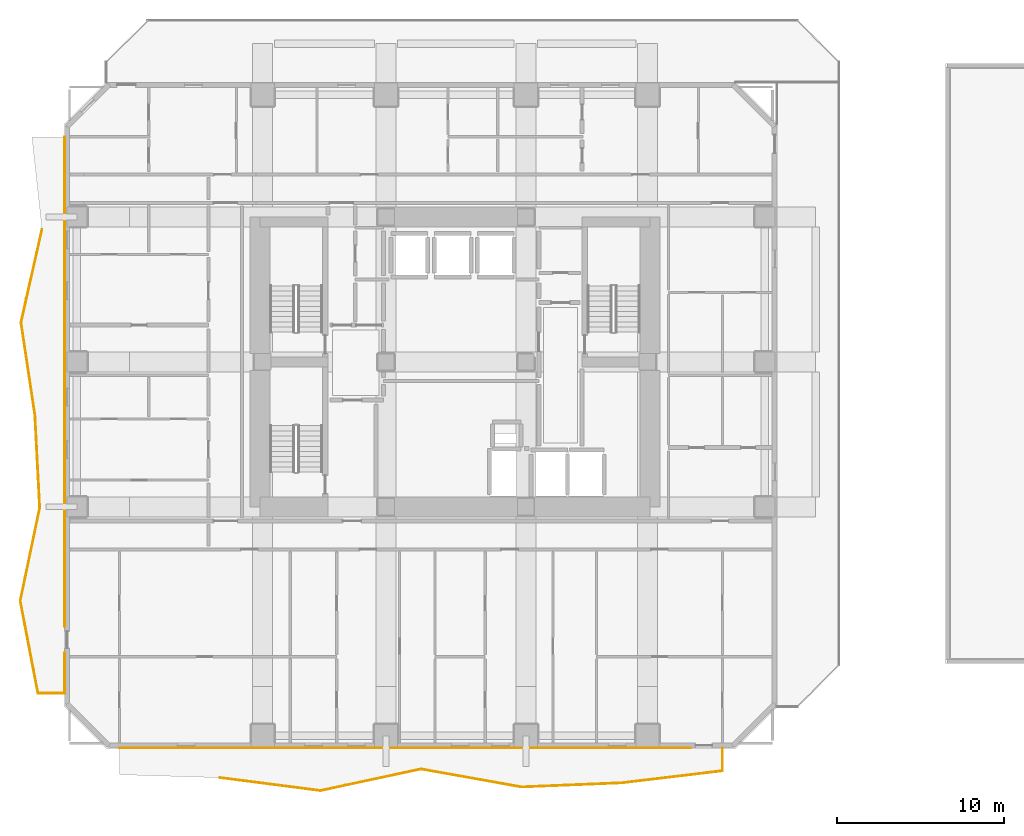
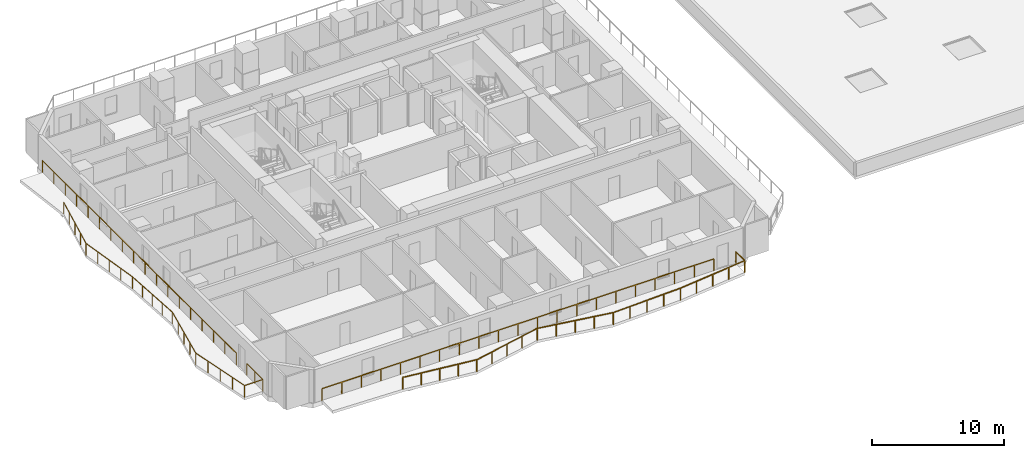
# One storey, part 10 of 13: 4 railings.
"""IFC4 building model written with IfcOpenShell, lengths in metres."""

from ifc_helpers import new_model, si_unit, direction, frame, origin, origin_2d, place, context, subcontext, project, spatial, rectangle, extrude, material, type_object, element, save


model = new_model("IFC4")

# Units and contexts
model_context = context("Model", 3, precision=1e-05, world=origin(), true_north=direction((0.0, 1.0)))
body_context = subcontext(model_context, "Body", "Model", "MODEL_VIEW")
ifc_project = project(units=[si_unit("LENGTHUNIT", "METRE"), si_unit("AREAUNIT", "SQUARE_METRE"), si_unit("VOLUMEUNIT", "CUBIC_METRE"), si_unit("PLANEANGLEUNIT", "RADIAN"), si_unit("MASSUNIT", "GRAM", prefix="KILO")], contexts=[model_context])

# Site, building, storey
site_placement = place(None, origin())
site = spatial("IfcSite", under=ifc_project, at=site_placement, CompositionType="ELEMENT")
building_placement = place(site_placement, origin())
building = spatial("IfcBuilding", under=site, at=building_placement, Name="Solanera Arch Residences", CompositionType="ELEMENT")
storey_placement = place(building_placement, frame((0.0, 0.0, 22.0)))
storey = spatial("IfcBuildingStorey", under=building, at=storey_placement, Name="L05", CompositionType="ELEMENT", Elevation=22.0)

# Railings
ifc_material = material(Name="Steel S355 (ASTM A992 / A572 Grade 50)", Category="steel")
railing_type = type_object("IfcRailingType", Name="Balustrade Railing BL-1100", PredefinedType="BALUSTRADE", material=ifc_material)
railing_1_placement = place(storey_placement, frame((10.8330078125, 5.735107421875, 0.0)))
element("IfcRailing", 1, at=railing_1_placement, inside=storey, type_object=railing_type, Name="L05 S Balcony Balustrade 1", PredefinedType="BALUSTRADE", context=body_context, shape_type="SweptSolid", body=[
    extrude(rectangle(XDim=0.048095703125, YDim=0.048095703125, at=origin_2d()), frame((0.0, 0.0, 1.09619140625), z_axis=(0.991747445378, -0.128206881974, 0.0), x_axis=(0.128206881974, 0.991747445378, 0.0)), (0.0, 0.0, 1.0), 6.084228515625),
    extrude(rectangle(XDim=0.048095703125, YDim=0.048095703125, at=origin_2d()), frame((6.033935546875, -0.780029296875, 1.09619140625), z_axis=(0.977666146337, 0.210163998597, 0.0), x_axis=(-0.210163998597, 0.977666146337, 0.0)), (0.0, 0.0, 1.0), 6.170654296875),
    extrude(rectangle(XDim=0.048095703125, YDim=0.048095703125, at=origin_2d()), frame((12.06689453125, 0.516845703125, 1.09619140625), z_axis=(0.984385201462, -0.176027768099, 0.0), x_axis=(0.176027768099, 0.984385201462, 0.0)), (0.0, 0.0, 1.0), 6.12890625),
    extrude(rectangle(XDim=0.048095703125, YDim=0.048095703125, at=origin_2d()), frame((18.10009765625, -0.56201171875, 1.09619140625), z_axis=(0.999157767639, 0.041033588272, 0.0), x_axis=(-0.041033588272, 0.999157767639, 0.0)), (0.0, 0.0, 1.0), 6.0390625),
    extrude(rectangle(XDim=0.048095703125, YDim=0.048095703125, at=origin_2d()), frame((24.134033203125, -0.314208984375, 1.09619140625), z_axis=(0.992873606023, 0.119172154727, 0.0), x_axis=(-0.119172154727, 0.992873606023, 0.0)), (0.0, 0.0, 1.0), 6.076171875),
    extrude(rectangle(XDim=0.048095703125, YDim=0.048095703125, at=origin_2d()), frame((30.1669921875, 0.409912109375, 1.09619140625), z_axis=(0.0, 1.0, 0.0), x_axis=(-1.0, 0.0, 0.0)), (0.0, 0.0, 1.0), 1.375),
    extrude(rectangle(XDim=0.0419921875, YDim=0.0419921875, at=origin_2d()), origin(), (0.0, 0.0, 1.0), 1.072021484375),
    extrude(rectangle(XDim=0.0419921875, YDim=0.0419921875, at=origin_2d()), frame((1.508544921875, -0.195068359375, 0.0)), (0.0, 0.0, 1.0), 1.072021484375),
    extrude(rectangle(XDim=0.0419921875, YDim=0.0419921875, at=origin_2d()), frame((3.01708984375, -0.39013671875, 0.0)), (0.0, 0.0, 1.0), 1.072021484375),
    extrude(rectangle(XDim=0.0419921875, YDim=0.0419921875, at=origin_2d()), frame((4.525390625, -0.5849609375, 0.0)), (0.0, 0.0, 1.0), 1.072021484375),
    extrude(rectangle(XDim=0.0419921875, YDim=0.0419921875, at=origin_2d()), frame((6.033935546875, -0.780029296875, 0.0)), (0.0, 0.0, 1.0), 1.072021484375),
    extrude(rectangle(XDim=0.0419921875, YDim=0.0419921875, at=origin_2d()), frame((7.542236328125, -0.455810546875, 0.0)), (0.0, 0.0, 1.0), 1.072021484375),
    extrude(rectangle(XDim=0.0419921875, YDim=0.0419921875, at=origin_2d()), frame((9.05029296875, -0.131591796875, 0.0)), (0.0, 0.0, 1.0), 1.072021484375),
    extrude(rectangle(XDim=0.0419921875, YDim=0.0419921875, at=origin_2d()), frame((10.55859375, 0.192626953125, 0.0)), (0.0, 0.0, 1.0), 1.072021484375),
    extrude(rectangle(XDim=0.0419921875, YDim=0.0419921875, at=origin_2d()), frame((12.06689453125, 0.516845703125, 0.0)), (0.0, 0.0, 1.0), 1.072021484375),
    extrude(rectangle(XDim=0.0419921875, YDim=0.0419921875, at=origin_2d()), frame((13.5751953125, 0.2470703125, 0.0)), (0.0, 0.0, 1.0), 1.072021484375),
    extrude(rectangle(XDim=0.0419921875, YDim=0.0419921875, at=origin_2d()), frame((15.08349609375, -0.0224609375, 0.0)), (0.0, 0.0, 1.0), 1.072021484375),
    extrude(rectangle(XDim=0.0419921875, YDim=0.0419921875, at=origin_2d()), frame((16.591796875, -0.292236328125, 0.0)), (0.0, 0.0, 1.0), 1.072021484375),
    extrude(rectangle(XDim=0.0419921875, YDim=0.0419921875, at=origin_2d()), frame((18.10009765625, -0.56201171875, 0.0)), (0.0, 0.0, 1.0), 1.072021484375),
    extrude(rectangle(XDim=0.0419921875, YDim=0.0419921875, at=origin_2d()), frame((19.608642578125, -0.5, 0.0)), (0.0, 0.0, 1.0), 1.072021484375),
    extrude(rectangle(XDim=0.0419921875, YDim=0.0419921875, at=origin_2d()), frame((21.1171875, -0.43798828125, 0.0)), (0.0, 0.0, 1.0), 1.072021484375),
    extrude(rectangle(XDim=0.0419921875, YDim=0.0419921875, at=origin_2d()), frame((22.62548828125, -0.376220703125, 0.0)), (0.0, 0.0, 1.0), 1.072021484375),
    extrude(rectangle(XDim=0.0419921875, YDim=0.0419921875, at=origin_2d()), frame((24.134033203125, -0.314208984375, 0.0)), (0.0, 0.0, 1.0), 1.072021484375),
    extrude(rectangle(XDim=0.0419921875, YDim=0.0419921875, at=origin_2d()), frame((25.642333984375, -0.13330078125, 0.0)), (0.0, 0.0, 1.0), 1.072021484375),
    extrude(rectangle(XDim=0.0419921875, YDim=0.0419921875, at=origin_2d()), frame((27.150390625, 0.0478515625, 0.0)), (0.0, 0.0, 1.0), 1.072021484375),
    extrude(rectangle(XDim=0.0419921875, YDim=0.0419921875, at=origin_2d()), frame((28.65869140625, 0.22900390625, 0.0)), (0.0, 0.0, 1.0), 1.072021484375),
    extrude(rectangle(XDim=0.0419921875, YDim=0.0419921875, at=origin_2d()), frame((30.1669921875, 0.409912109375, 0.0)), (0.0, 0.0, 1.0), 1.072021484375),
    extrude(rectangle(XDim=0.0419921875, YDim=0.0419921875, at=origin_2d()), frame((30.1669921875, 1.784912109375, 0.0)), (0.0, 0.0, 1.0), 1.072021484375),
])
railing_2_placement = place(storey_placement, frame((39.083984375, 7.52001953125, 0.0)))
element("IfcRailing", 2, at=railing_2_placement, inside=storey, type_object=railing_type, Name="L05 S Balcony Balustrade 2", PredefinedType="BALUSTRADE", context=body_context, shape_type="SweptSolid", body=[
    extrude(rectangle(XDim=0.048095703125, YDim=0.048095703125, at=origin_2d()), frame((0.0, 0.0, 1.09619140625), z_axis=(-1.0, 0.0, 0.0), x_axis=(0.0, -1.0, 0.0)), (0.0, 0.0, 1.0), 34.283935546875),
    extrude(rectangle(XDim=0.0419921875, YDim=0.0419921875, at=origin_2d()), origin(), (0.0, 0.0, 1.0), 1.072021484375),
    extrude(rectangle(XDim=0.0419921875, YDim=0.0419921875, at=origin_2d()), frame((-1.714111328125, 0.0, 0.0)), (0.0, 0.0, 1.0), 1.072021484375),
    extrude(rectangle(XDim=0.0419921875, YDim=0.0419921875, at=origin_2d()), frame((-3.428466796875, 0.0, 0.0)), (0.0, 0.0, 1.0), 1.072021484375),
    extrude(rectangle(XDim=0.0419921875, YDim=0.0419921875, at=origin_2d()), frame((-5.142578125, 0.0, 0.0)), (0.0, 0.0, 1.0), 1.072021484375),
    extrude(rectangle(XDim=0.0419921875, YDim=0.0419921875, at=origin_2d()), frame((-6.856689453125, 0.0, 0.0)), (0.0, 0.0, 1.0), 1.072021484375),
    extrude(rectangle(XDim=0.0419921875, YDim=0.0419921875, at=origin_2d()), frame((-8.571044921875, 0.0, 0.0)), (0.0, 0.0, 1.0), 1.072021484375),
    extrude(rectangle(XDim=0.0419921875, YDim=0.0419921875, at=origin_2d()), frame((-10.28515625, 0.0, 0.0)), (0.0, 0.0, 1.0), 1.072021484375),
    extrude(rectangle(XDim=0.0419921875, YDim=0.0419921875, at=origin_2d()), frame((-11.999267578125, 0.0, 0.0)), (0.0, 0.0, 1.0), 1.072021484375),
    extrude(rectangle(XDim=0.0419921875, YDim=0.0419921875, at=origin_2d()), frame((-13.713623046875, 0.0, 0.0)), (0.0, 0.0, 1.0), 1.072021484375),
    extrude(rectangle(XDim=0.0419921875, YDim=0.0419921875, at=origin_2d()), frame((-15.427734375, 0.0, 0.0)), (0.0, 0.0, 1.0), 1.072021484375),
    extrude(rectangle(XDim=0.0419921875, YDim=0.0419921875, at=origin_2d()), frame((-17.14208984375, 0.0, 0.0)), (0.0, 0.0, 1.0), 1.072021484375),
    extrude(rectangle(XDim=0.0419921875, YDim=0.0419921875, at=origin_2d()), frame((-18.856201171875, 0.0, 0.0)), (0.0, 0.0, 1.0), 1.072021484375),
    extrude(rectangle(XDim=0.0419921875, YDim=0.0419921875, at=origin_2d()), frame((-20.5703125, 0.0, 0.0)), (0.0, 0.0, 1.0), 1.072021484375),
    extrude(rectangle(XDim=0.0419921875, YDim=0.0419921875, at=origin_2d()), frame((-22.28466796875, 0.0, 0.0)), (0.0, 0.0, 1.0), 1.072021484375),
    extrude(rectangle(XDim=0.0419921875, YDim=0.0419921875, at=origin_2d()), frame((-23.998779296875, 0.0, 0.0)), (0.0, 0.0, 1.0), 1.072021484375),
    extrude(rectangle(XDim=0.0419921875, YDim=0.0419921875, at=origin_2d()), frame((-25.712890625, 0.0, 0.0)), (0.0, 0.0, 1.0), 1.072021484375),
    extrude(rectangle(XDim=0.0419921875, YDim=0.0419921875, at=origin_2d()), frame((-27.42724609375, 0.0, 0.0)), (0.0, 0.0, 1.0), 1.072021484375),
    extrude(rectangle(XDim=0.0419921875, YDim=0.0419921875, at=origin_2d()), frame((-29.141357421875, 0.0, 0.0)), (0.0, 0.0, 1.0), 1.072021484375),
    extrude(rectangle(XDim=0.0419921875, YDim=0.0419921875, at=origin_2d()), frame((-30.85546875, 0.0, 0.0)), (0.0, 0.0, 1.0), 1.072021484375),
    extrude(rectangle(XDim=0.0419921875, YDim=0.0419921875, at=origin_2d()), frame((-32.56982421875, 0.0, 0.0)), (0.0, 0.0, 1.0), 1.072021484375),
    extrude(rectangle(XDim=0.0419921875, YDim=0.0419921875, at=origin_2d()), frame((-34.283935546875, 0.0, 0.0)), (0.0, 0.0, 1.0), 1.072021484375),
])
railing_3_placement = place(storey_placement, frame((0.14990234375, 38.633056640625, 0.0)))
element("IfcRailing", 3, at=railing_3_placement, inside=storey, type_object=railing_type, Name="L05 W Balcony Balustrade 1", PredefinedType="BALUSTRADE", context=body_context, shape_type="SweptSolid", body=[
    extrude(rectangle(XDim=0.048095703125, YDim=0.048095703125, at=origin_2d()), frame((0.0, 0.0, 1.09619140625), z_axis=(-0.219602816154, -0.975589361943, 0.0), x_axis=(0.975589361943, -0.219602816154, 0.0)), (0.0, 0.0, 1.0), 5.705322265625),
    extrude(rectangle(XDim=0.048095703125, YDim=0.048095703125, at=origin_2d()), frame((-1.2529296875, -5.566162109375, 1.09619140625), z_axis=(0.14887907298, -0.98885540987, 0.0), x_axis=(0.98885540987, 0.14887907298, 0.0)), (0.0, 0.0, 1.0), 5.629638671875),
    extrude(rectangle(XDim=0.048095703125, YDim=0.048095703125, at=origin_2d()), frame((-0.414794921875, -11.133056640625, 1.09619140625), z_axis=(0.051287557178, -0.998683927216, 0.0), x_axis=(0.998683927216, 0.051287557178, 0.0)), (0.0, 0.0, 1.0), 5.57421875),
    extrude(rectangle(XDim=0.048095703125, YDim=0.048095703125, at=origin_2d()), frame((-0.12890625, -16.699951171875, 1.09619140625), z_axis=(-0.205361411113, -0.978686206516, 0.0), x_axis=(0.978686206516, -0.205361411113, 0.0)), (0.0, 0.0, 1.0), 5.6875),
    extrude(rectangle(XDim=0.048095703125, YDim=0.048095703125, at=origin_2d()), frame((-1.296875, -22.26611328125, 1.09619140625), z_axis=(0.187393197095, -0.982284983944, 0.0), x_axis=(0.982284983944, 0.187393197095, 0.0)), (0.0, 0.0, 1.0), 5.667236328125),
    extrude(rectangle(XDim=0.048095703125, YDim=0.048095703125, at=origin_2d()), frame((-0.23486328125, -27.8330078125, 1.09619140625), z_axis=(1.0, 0.0, 0.0), x_axis=(0.0, 1.0, 0.0)), (0.0, 0.0, 1.0), 1.60498046875),
    extrude(rectangle(XDim=0.048095703125, YDim=0.048095703125, at=origin_2d()), frame((1.3701171875, -27.8330078125, 1.09619140625), z_axis=(0.0, 1.0, 0.0), x_axis=(-1.0, 0.0, 0.0)), (0.0, 0.0, 1.0), 2.4169921875),
    extrude(rectangle(XDim=0.0419921875, YDim=0.0419921875, at=origin_2d()), origin(), (0.0, 0.0, 1.0), 1.072021484375),
    extrude(rectangle(XDim=0.0419921875, YDim=0.0419921875, at=origin_2d()), frame((-0.313232421875, -1.3916015625, 0.0)), (0.0, 0.0, 1.0), 1.072021484375),
    extrude(rectangle(XDim=0.0419921875, YDim=0.0419921875, at=origin_2d()), frame((-0.62646484375, -2.783203125, 0.0)), (0.0, 0.0, 1.0), 1.072021484375),
    extrude(rectangle(XDim=0.0419921875, YDim=0.0419921875, at=origin_2d()), frame((-0.939697265625, -4.174560546875, 0.0)), (0.0, 0.0, 1.0), 1.072021484375),
    extrude(rectangle(XDim=0.0419921875, YDim=0.0419921875, at=origin_2d()), frame((-1.2529296875, -5.566162109375, 0.0)), (0.0, 0.0, 1.0), 1.072021484375),
    extrude(rectangle(XDim=0.0419921875, YDim=0.0419921875, at=origin_2d()), frame((-1.04345703125, -6.9580078125, 0.0)), (0.0, 0.0, 1.0), 1.072021484375),
    extrude(rectangle(XDim=0.0419921875, YDim=0.0419921875, at=origin_2d()), frame((-0.833984375, -8.349609375, 0.0)), (0.0, 0.0, 1.0), 1.072021484375),
    extrude(rectangle(XDim=0.0419921875, YDim=0.0419921875, at=origin_2d()), frame((-0.624267578125, -9.7412109375, 0.0)), (0.0, 0.0, 1.0), 1.072021484375),
    extrude(rectangle(XDim=0.0419921875, YDim=0.0419921875, at=origin_2d()), frame((-0.414794921875, -11.133056640625, 0.0)), (0.0, 0.0, 1.0), 1.072021484375),
    extrude(rectangle(XDim=0.0419921875, YDim=0.0419921875, at=origin_2d()), frame((-0.34326171875, -12.52490234375, 0.0)), (0.0, 0.0, 1.0), 1.072021484375),
    extrude(rectangle(XDim=0.0419921875, YDim=0.0419921875, at=origin_2d()), frame((-0.27197265625, -13.91650390625, 0.0)), (0.0, 0.0, 1.0), 1.072021484375),
    extrude(rectangle(XDim=0.0419921875, YDim=0.0419921875, at=origin_2d()), frame((-0.200439453125, -15.30810546875, 0.0)), (0.0, 0.0, 1.0), 1.072021484375),
    extrude(rectangle(XDim=0.0419921875, YDim=0.0419921875, at=origin_2d()), frame((-0.12890625, -16.699951171875, 0.0)), (0.0, 0.0, 1.0), 1.072021484375),
    extrude(rectangle(XDim=0.0419921875, YDim=0.0419921875, at=origin_2d()), frame((-0.4208984375, -18.091552734375, 0.0)), (0.0, 0.0, 1.0), 1.072021484375),
    extrude(rectangle(XDim=0.0419921875, YDim=0.0419921875, at=origin_2d()), frame((-0.712890625, -19.48291015625, 0.0)), (0.0, 0.0, 1.0), 1.072021484375),
    extrude(rectangle(XDim=0.0419921875, YDim=0.0419921875, at=origin_2d()), frame((-1.0048828125, -20.87451171875, 0.0)), (0.0, 0.0, 1.0), 1.072021484375),
    extrude(rectangle(XDim=0.0419921875, YDim=0.0419921875, at=origin_2d()), frame((-1.296875, -22.26611328125, 0.0)), (0.0, 0.0, 1.0), 1.072021484375),
    extrude(rectangle(XDim=0.0419921875, YDim=0.0419921875, at=origin_2d()), frame((-1.03125, -23.65771484375, 0.0)), (0.0, 0.0, 1.0), 1.072021484375),
    extrude(rectangle(XDim=0.0419921875, YDim=0.0419921875, at=origin_2d()), frame((-0.765869140625, -25.049560546875, 0.0)), (0.0, 0.0, 1.0), 1.072021484375),
    extrude(rectangle(XDim=0.0419921875, YDim=0.0419921875, at=origin_2d()), frame((-0.50048828125, -26.44140625, 0.0)), (0.0, 0.0, 1.0), 1.072021484375),
    extrude(rectangle(XDim=0.0419921875, YDim=0.0419921875, at=origin_2d()), frame((-0.23486328125, -27.8330078125, 0.0)), (0.0, 0.0, 1.0), 1.072021484375),
    extrude(rectangle(XDim=0.0419921875, YDim=0.0419921875, at=origin_2d()), frame((1.3701171875, -27.8330078125, 0.0)), (0.0, 0.0, 1.0), 1.072021484375),
    extrude(rectangle(XDim=0.0419921875, YDim=0.0419921875, at=origin_2d()), frame((1.3701171875, -26.62451171875, 0.0)), (0.0, 0.0, 1.0), 1.072021484375),
    extrude(rectangle(XDim=0.0419921875, YDim=0.0419921875, at=origin_2d()), frame((1.3701171875, -25.416015625, 0.0)), (0.0, 0.0, 1.0), 1.072021484375),
])
railing_4_placement = place(storey_placement, frame((1.52001953125, 14.81689453125, 0.0)))
element("IfcRailing", 4, at=railing_4_placement, inside=storey, type_object=railing_type, Name="L05 W Balcony Balustrade 2", PredefinedType="BALUSTRADE", context=body_context, shape_type="SweptSolid", body=[
    extrude(rectangle(XDim=0.048095703125, YDim=0.048095703125, at=origin_2d()), frame((0.0, 0.0, 1.09619140625), z_axis=(0.0, 1.0, 0.0), x_axis=(-1.0, 0.0, 0.0)), (0.0, 0.0, 1.0), 29.383056640625),
    extrude(rectangle(XDim=0.0419921875, YDim=0.0419921875, at=origin_2d()), origin(), (0.0, 0.0, 1.0), 1.072021484375),
    extrude(rectangle(XDim=0.0419921875, YDim=0.0419921875, at=origin_2d()), frame((0.0, 1.728515625, 0.0)), (0.0, 0.0, 1.0), 1.072021484375),
    extrude(rectangle(XDim=0.0419921875, YDim=0.0419921875, at=origin_2d()), frame((0.0, 3.456787109375, 0.0)), (0.0, 0.0, 1.0), 1.072021484375),
    extrude(rectangle(XDim=0.0419921875, YDim=0.0419921875, at=origin_2d()), frame((0.0, 5.185302734375, 0.0)), (0.0, 0.0, 1.0), 1.072021484375),
    extrude(rectangle(XDim=0.0419921875, YDim=0.0419921875, at=origin_2d()), frame((0.0, 6.91357421875, 0.0)), (0.0, 0.0, 1.0), 1.072021484375),
    extrude(rectangle(XDim=0.0419921875, YDim=0.0419921875, at=origin_2d()), frame((0.0, 8.64208984375, 0.0)), (0.0, 0.0, 1.0), 1.072021484375),
    extrude(rectangle(XDim=0.0419921875, YDim=0.0419921875, at=origin_2d()), frame((0.0, 10.37060546875, 0.0)), (0.0, 0.0, 1.0), 1.072021484375),
    extrude(rectangle(XDim=0.0419921875, YDim=0.0419921875, at=origin_2d()), frame((0.0, 12.098876953125, 0.0)), (0.0, 0.0, 1.0), 1.072021484375),
    extrude(rectangle(XDim=0.0419921875, YDim=0.0419921875, at=origin_2d()), frame((0.0, 13.827392578125, 0.0)), (0.0, 0.0, 1.0), 1.072021484375),
    extrude(rectangle(XDim=0.0419921875, YDim=0.0419921875, at=origin_2d()), frame((0.0, 15.5556640625, 0.0)), (0.0, 0.0, 1.0), 1.072021484375),
    extrude(rectangle(XDim=0.0419921875, YDim=0.0419921875, at=origin_2d()), frame((0.0, 17.2841796875, 0.0)), (0.0, 0.0, 1.0), 1.072021484375),
    extrude(rectangle(XDim=0.0419921875, YDim=0.0419921875, at=origin_2d()), frame((0.0, 19.012451171875, 0.0)), (0.0, 0.0, 1.0), 1.072021484375),
    extrude(rectangle(XDim=0.0419921875, YDim=0.0419921875, at=origin_2d()), frame((0.0, 20.740966796875, 0.0)), (0.0, 0.0, 1.0), 1.072021484375),
    extrude(rectangle(XDim=0.0419921875, YDim=0.0419921875, at=origin_2d()), frame((0.0, 22.469482421875, 0.0)), (0.0, 0.0, 1.0), 1.072021484375),
    extrude(rectangle(XDim=0.0419921875, YDim=0.0419921875, at=origin_2d()), frame((0.0, 24.19775390625, 0.0)), (0.0, 0.0, 1.0), 1.072021484375),
    extrude(rectangle(XDim=0.0419921875, YDim=0.0419921875, at=origin_2d()), frame((0.0, 25.92626953125, 0.0)), (0.0, 0.0, 1.0), 1.072021484375),
    extrude(rectangle(XDim=0.0419921875, YDim=0.0419921875, at=origin_2d()), frame((0.0, 27.654541015625, 0.0)), (0.0, 0.0, 1.0), 1.072021484375),
    extrude(rectangle(XDim=0.0419921875, YDim=0.0419921875, at=origin_2d()), frame((0.0, 29.383056640625, 0.0)), (0.0, 0.0, 1.0), 1.072021484375),
])

save(model, "model.ifc")
